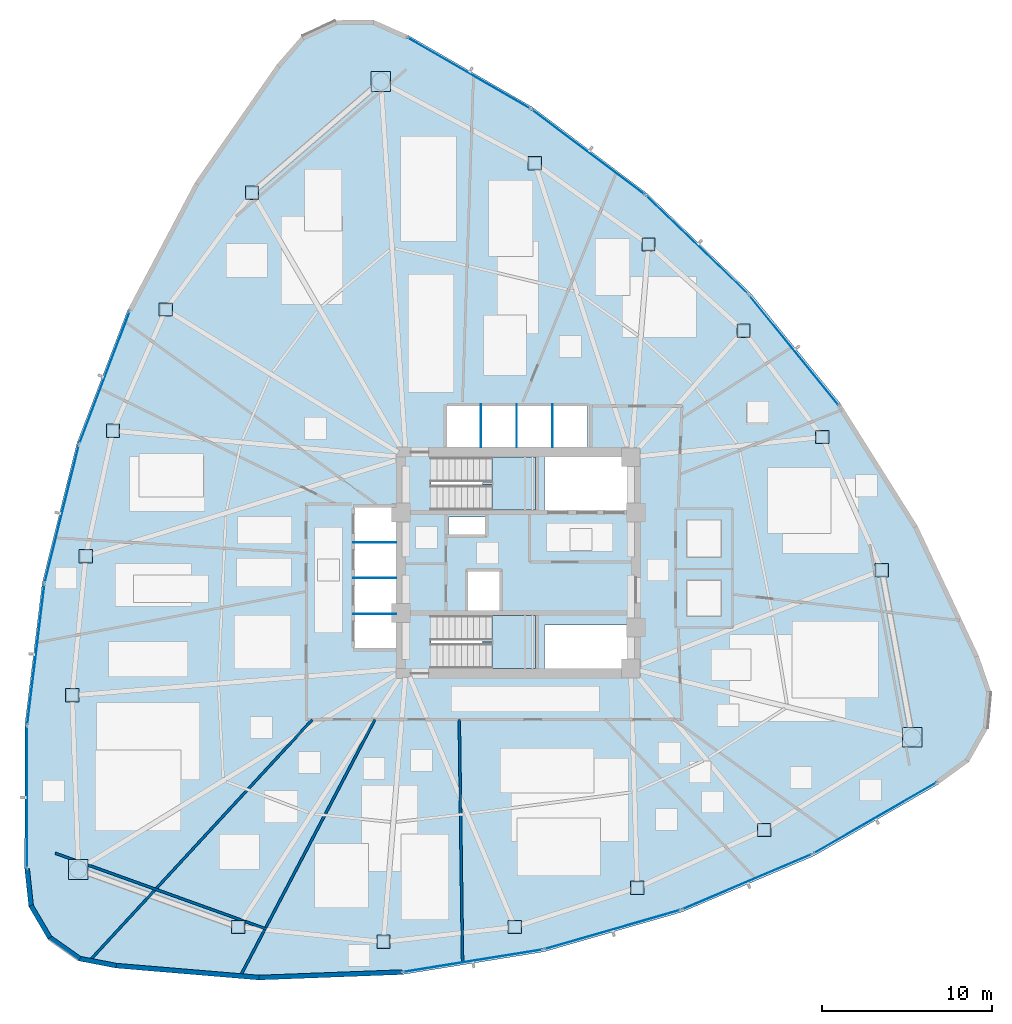
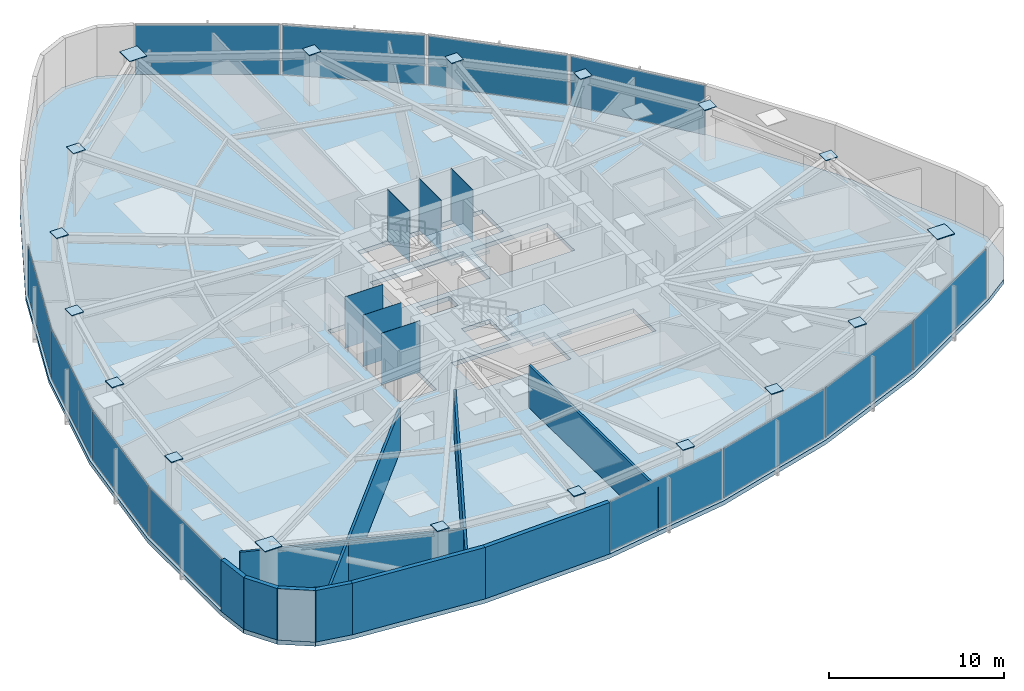
# One storey, part 10 of 17: 36 plates, 10 walls, 3 slabs, 14 elements without a shape of their own.
"""IFC4 building model written with IfcOpenShell, lengths in metres."""

import ifcopenshell
import ifcopenshell.guid

model = None  # the IFC model being written
_history = None  # IfcOwnerHistory: only IFC2X3 demands one
_inside = {}  # id of a spatial element -> (the spatial element, [elements in it])
_under = {}  # id of a project, library or spatial element -> (it, [spatial elements below it])
_declared = {}  # id of a project -> (the project, [libraries it declares])
_typed = {}  # id of a type object -> (the type object, [elements of that type])
_made_of = {}  # id of a material, layer set ... -> (it, [elements and type objects made of it])


def new_model(schema):
    """Start an empty IFC model of exactly this schema.

    Asked for "IFC4X3", IfcOpenShell would pick the latest addendum, in which some entities
    have other attributes; the version numbers below select the first issue.
    IFC2X3 requires an IfcOwnerHistory on every rooted entity: one is made here for all.
    """
    global model, _history
    if schema == "IFC4X3":
        model = ifcopenshell.file(schema_version=(4, 3, 0, 0))
    else:
        model = ifcopenshell.file(schema=schema)
    _inside.clear()
    _under.clear()
    _declared.clear()
    _typed.clear()
    _made_of.clear()
    _history = None
    if model.schema == "IFC2X3":
        org = make("IfcOrganization", Name="unknown")
        user = make(
            "IfcPersonAndOrganization",
            ThePerson=make("IfcPerson", FamilyName="unknown"),
            TheOrganization=org,
        )
        app = make(
            "IfcApplication",
            ApplicationDeveloper=org,
            Version="unknown",
            ApplicationFullName="unknown",
            ApplicationIdentifier="unknown",
        )
        _history = make(
            "IfcOwnerHistory",
            OwningUser=user,
            OwningApplication=app,
            ChangeAction="ADDED",
            CreationDate=0,
        )
    return model


def make(cls, **values):
    """One entity of the class cls with the attributes given. An attribute that is None is left unset."""
    return model.create_entity(
        cls, **{name: value for name, value in values.items() if value is not None}
    )


def rooted(cls, **values):
    """An entity with a GlobalId (a new one), such as an element, a storey or a relation."""
    return make(cls, GlobalId=ifcopenshell.guid.new(), OwnerHistory=_history, **values)


def si_unit(unit_type, name, prefix=None):
    """IfcSIUnit, for example si_unit("LENGTHUNIT", "METRE", prefix="MILLI")."""
    return make("IfcSIUnit", UnitType=unit_type, Prefix=prefix, Name=name)


def assignment(units):
    """IfcUnitAssignment: the units of a project."""
    return None if units is None else make("IfcUnitAssignment", Units=units)


def point(xyz):
    """IfcCartesianPoint."""
    return None if xyz is None else make("IfcCartesianPoint", Coordinates=xyz)


def direction(xyz):
    """IfcDirection."""
    return None if xyz is None else make("IfcDirection", DirectionRatios=xyz)


def frame(location, z_axis=None, x_axis=None):
    """IfcAxis2Placement3D, a coordinate frame: its origin and axes. An axis left out is left unset."""
    return make(
        "IfcAxis2Placement3D",
        Location=point(location),
        Axis=direction(z_axis),
        RefDirection=direction(x_axis),
    )


def frame_2d(location, x_axis=None):
    """IfcAxis2Placement2D, a coordinate frame in the plane: its origin and x axis."""
    return make(
        "IfcAxis2Placement2D", Location=point(location), RefDirection=direction(x_axis)
    )


def origin():
    """The frame at (0, 0, 0) with its axes left unset."""
    return frame((0.0, 0.0, 0.0))


def origin_2d():
    """The frame at (0, 0) in the plane with its x axis left unset."""
    return frame_2d((0.0, 0.0))


def place(relative_to, where):
    """IfcLocalPlacement: puts the frame where relative to a parent placement (None: the world)."""
    return make(
        "IfcLocalPlacement", PlacementRelTo=relative_to, RelativePlacement=where
    )


def context(
    kind, dimensions, precision=None, world=None, true_north=None, identifier=None
):
    """IfcGeometricRepresentationContext, for example the 3D "Model" context."""
    return make(
        "IfcGeometricRepresentationContext",
        ContextIdentifier=identifier,
        ContextType=kind,
        CoordinateSpaceDimension=dimensions,
        Precision=precision,
        WorldCoordinateSystem=world,
        TrueNorth=true_north,
    )


def subcontext(parent, identifier, kind, view, scale=None):
    """IfcGeometricRepresentationSubContext, for example "Body" below "Model"."""
    return make(
        "IfcGeometricRepresentationSubContext",
        ContextIdentifier=identifier,
        ContextType=kind,
        ParentContext=parent,
        TargetScale=scale,
        TargetView=view,
    )


def project(units=None, contexts=None):
    """IfcProject with its units and contexts."""
    return rooted(
        "IfcProject",
        Name="project",
        RepresentationContexts=contexts,
        UnitsInContext=assignment(units),
    )


def spatial(cls, under=None, at=None, **own):
    """A site, building, storey or space (cls), placed at a placement, below another one or the project."""
    s = rooted(cls, ObjectPlacement=at, **own)
    if under is not None:
        _under.setdefault(under.id(), (under, []))[1].append(s)
    return s


def polyline(points):
    """IfcPolyline through the points."""
    return make("IfcPolyline", Points=[point(p) for p in points])


def profile(cls, at=None, kind="AREA", **sizes):
    """A parametric profile (cls). Its sizes go by their IFC names, for example OverallWidth=200.0."""
    return make(cls, ProfileType=kind, Position=at, **sizes)


def rectangle(**sizes):
    """IfcRectangleProfileDef."""
    return profile("IfcRectangleProfileDef", **sizes)


def outline(outer, holes=None, kind="AREA"):
    """IfcArbitraryClosedProfileDef: a profile drawn as a closed curve; with holes, ...WithVoids."""
    if holes is None:
        return make("IfcArbitraryClosedProfileDef", ProfileType=kind, OuterCurve=outer)
    return make(
        "IfcArbitraryProfileDefWithVoids",
        ProfileType=kind,
        OuterCurve=outer,
        InnerCurves=holes,
    )


def extrude(swept, where, along, depth):
    """IfcExtrudedAreaSolid: the profile swept, set in the frame where, extruded along a direction by depth."""
    return make(
        "IfcExtrudedAreaSolid",
        SweptArea=swept,
        Position=where,
        ExtrudedDirection=direction(along),
        Depth=depth,
    )


def shape(context_of_items, identifier, shape_type, items):
    """IfcShapeRepresentation: the items that make up one representation, for example the "Body"."""
    return make(
        "IfcShapeRepresentation",
        ContextOfItems=context_of_items,
        RepresentationIdentifier=identifier,
        RepresentationType=shape_type,
        Items=items,
    )


def source(mapping_origin, context_of_items, identifier, shape_type, items):
    """IfcRepresentationMap: a shape defined once, which mapped items show again and again."""
    return make(
        "IfcRepresentationMap",
        MappingOrigin=mapping_origin,
        MappedRepresentation=shape(context_of_items, identifier, shape_type, items),
    )


def transform(
    local_origin,
    x_axis=None,
    y_axis=None,
    z_axis=None,
    scale=None,
    scale2=None,
    scale3=None,
    uniform=True,
):
    """IfcCartesianTransformationOperator3D, or its non-uniform kind. x_axis, y_axis, z_axis: its Axis1, 2, 3."""
    if uniform:
        return make(
            "IfcCartesianTransformationOperator3D",
            Axis1=direction(x_axis),
            Axis2=direction(y_axis),
            LocalOrigin=point(local_origin),
            Scale=scale,
            Axis3=direction(z_axis),
        )
    return make(
        "IfcCartesianTransformationOperator3DnonUniform",
        Axis1=direction(x_axis),
        Axis2=direction(y_axis),
        LocalOrigin=point(local_origin),
        Scale=scale,
        Axis3=direction(z_axis),
        Scale2=scale2,
        Scale3=scale3,
    )


def mapped(mapping_source, mapping_target):
    """IfcMappedItem: shows the shape of a source again, moved by a transform."""
    return make(
        "IfcMappedItem", MappingSource=mapping_source, MappingTarget=mapping_target
    )


def material(Name=None, Category=None):
    """IfcMaterial."""
    return make("IfcMaterial", Name=Name, Category=Category)


def layer(
    of_material, thickness, ventilated=None, Name=None, Category=None, Priority=None
):
    """IfcMaterialLayer: one layer of a wall or slab, of a material (None: an air gap)."""
    return make(
        "IfcMaterialLayer",
        Material=of_material,
        LayerThickness=thickness,
        IsVentilated=ventilated,
        Name=Name,
        Category=Category,
        Priority=Priority,
    )


def layer_set(layers, Name=None):
    """IfcMaterialLayerSet."""
    return make("IfcMaterialLayerSet", MaterialLayers=layers, LayerSetName=Name)


def made_of(thing, what):
    """Note that an element or type object is made of a material, layer set ...; save() writes the relation."""
    if what is not None:
        _made_of.setdefault(what.id(), (what, []))[1].append(thing)
    return thing


def type_object(cls, material=None, **own):
    """A type object (cls), such as IfcWallType, which elements share."""
    return made_of(rooted(cls, **own), material)


def type_shapes(of_type, sources):
    """Give a type object the sources (RepresentationMaps) that its elements show as mapped items."""
    of_type.RepresentationMaps = sources


def element(
    cls,
    number,
    at=None,
    inside=None,
    cuts=None,
    type_object=None,
    material=None,
    context=None,
    identifier="Body",
    shape_type=None,
    held_by="IfcProductDefinitionShape",
    body=None,
    shapes=None,
    **own,
):
    """One element of the class cls, such as IfcWall. Its Tag is "e" and its number.

    at: its placement. inside: the storey or other place that contains it. cuts: it is an
    opening in that element (IfcRelVoidsElement). A single representation is given by context,
    identifier, shape_type and body (its items); several are given by shapes. held_by: the class
    of the entity that holds the representations. save() writes the other relations.
    """
    e = rooted(cls, Tag="e%d" % number, ObjectPlacement=at, **own)
    if body is not None:
        shapes = [shape(context, identifier, shape_type, body)]
    if shapes is not None:
        e.Representation = make(held_by, Representations=shapes)
    if inside is not None:
        _inside.setdefault(inside.id(), (inside, []))[1].append(e)
    if cuts is not None:
        rooted(
            "IfcRelVoidsElement", RelatingBuildingElement=cuts, RelatedOpeningElement=e
        )
    if type_object is not None:
        _typed.setdefault(type_object.id(), (type_object, []))[1].append(e)
    return made_of(e, material)


def aggregate(whole, parts):
    """IfcRelAggregates: a whole, such as a stair, and the parts it consists of."""
    return rooted("IfcRelAggregates", RelatingObject=whole, RelatedObjects=parts)


def save(model, path):
    """Write the relations noted so far, then the file.

    IfcRelAggregates (storeys below a building ...), IfcRelContainedInSpatialStructure (elements
    in a storey), IfcRelDefinesByType, IfcRelAssociatesMaterial and IfcRelDeclares: one each for
    every whole, place, type object, material and project.
    """
    for whole, parts in _under.values():
        aggregate(whole, parts)
    for where, things in _inside.values():
        rooted(
            "IfcRelContainedInSpatialStructure",
            RelatedElements=things,
            RelatingStructure=where,
        )
    for kind, things in _typed.values():
        rooted("IfcRelDefinesByType", RelatedObjects=things, RelatingType=kind)
    for what, things in _made_of.values():
        rooted("IfcRelAssociatesMaterial", RelatedObjects=things, RelatingMaterial=what)
    for by, libraries in _declared.values():
        rooted("IfcRelDeclares", RelatingContext=by, RelatedDefinitions=libraries)
    model.write(path)


model = new_model("IFC4")

# Units and contexts
model_context = context("Model", 3, precision=1e-05, world=origin(), true_north=direction((0.0, 1.0)))
body_context = subcontext(model_context, "Body", "Model", "MODEL_VIEW")
ifc_project = project(units=[si_unit("LENGTHUNIT", "METRE"), si_unit("AREAUNIT", "SQUARE_METRE"), si_unit("VOLUMEUNIT", "CUBIC_METRE"), si_unit("PLANEANGLEUNIT", "RADIAN"), si_unit("MASSUNIT", "GRAM", prefix="KILO")], contexts=[model_context])

# Site, building, storey
site_placement = place(None, origin())
site = spatial("IfcSite", under=ifc_project, at=site_placement, CompositionType="ELEMENT")
building_placement = place(site_placement, origin())
building = spatial("IfcBuilding", under=site, at=building_placement, Name="Tavelor Broadcast Tower", CompositionType="ELEMENT")
storey_placement = place(building_placement, frame((0.0, 0.0, 78.300048828125)))
storey = spatial("IfcBuildingStorey", under=building, at=storey_placement, Name="L18", CompositionType="ELEMENT", Elevation=78.300048828125)

# Stair, slab
ifc_material_1 = material(Name="Concrete C40/50", Category="concrete")
stair_type = type_object("IfcStairType", Name="Reinforced Concrete Protected Dogleg Stair 1450 mm", PredefinedType="HALF_TURN_STAIR", material=ifc_material_1)
stair_1_placement = place(storey_placement, origin())
stair_1 = element("IfcStair", 1, at=stair_1_placement, inside=storey, type_object=stair_type, Name="L18 Protected Core Exit Stair ST1", PredefinedType="HALF_TURN_STAIR")
ifc_layer_1 = layer(ifc_material_1, 0.199951171875)
ifc_layer_set_1 = layer_set([ifc_layer_1], Name="Concrete C40/50")
slab_type_1 = type_object("IfcSlabType", Name="Reinforced Concrete Stair Half-Landing Slab 200 mm", PredefinedType="LANDING", material=ifc_layer_set_1)
slab_1_placement = place(storey_placement, frame((0.0, 0.0, 1.75)))
slab_1 = element("IfcSlab", 2, at=slab_1_placement, type_object=slab_type_1, Name="ST1 landing 1", PredefinedType="LANDING", context=body_context, shape_type="SweptSolid", body=[
    extrude(outline(polyline([(48.445068359375, 49.590087890625), (48.445068359375, 48.094970703125), (51.0048828125, 48.094970703125), (51.0048828125, 51.205078125), (48.445068359375, 51.205078125), (48.445068359375, 49.7099609375), (47.905029296875, 49.7099609375), (47.905029296875, 49.590087890625), (48.445068359375, 49.590087890625)])), origin(), (0.0, 0.0, 1.0), 0.199951171875),
])
aggregate(stair_1, [slab_1])

stair_2_placement = place(storey_placement, origin())
stair_2 = element("IfcStair", 3, at=stair_2_placement, inside=storey, type_object=stair_type, Name="L18 Protected Core Exit Stair ST2", PredefinedType="HALF_TURN_STAIR")
slab_2_placement = place(storey_placement, frame((0.0, 0.0, 1.75)))
slab_2 = element("IfcSlab", 4, at=slab_2_placement, type_object=slab_type_1, Name="ST2 landing 1", PredefinedType="LANDING", context=body_context, shape_type="SweptSolid", body=[
    extrude(outline(polyline([(48.445068359375, 40.2900390625), (48.445068359375, 38.794921875), (51.0048828125, 38.794921875), (51.0048828125, 41.905029296875), (48.445068359375, 41.905029296875), (48.445068359375, 40.409912109375), (47.905029296875, 40.409912109375), (47.905029296875, 40.2900390625), (48.445068359375, 40.2900390625)])), origin(), (0.0, 0.0, 1.0), 0.199951171875),
])
aggregate(stair_2, [slab_2])

# Slab
ifc_layer_2 = layer(ifc_material_1, 0.300048828125)
ifc_layer_set_2 = layer_set([ifc_layer_2], Name="Concrete C40/50")
slab_type_2 = type_object("IfcSlabType", Name="Tower Composite Floor Slab 300 mm", PredefinedType="FLOOR", material=ifc_layer_set_2)
slab_3_placement = place(storey_placement, frame((0.0, 0.0, -0.300048828125)))
element("IfcSlab", 5, at=slab_3_placement, inside=storey, type_object=slab_type_2, Name="L18 Structural Floor Slab", PredefinedType="FLOOR", context=body_context, shape_type="SweptSolid", body=[
    extrude(outline(polyline([(43.51953125, 75.982421875), (41.493408203125, 76.878173828125), (39.2783203125, 76.860595703125), (37.2666015625, 75.93310546875), (35.814697265625, 74.260009765625), (31.005615234375, 67.33447265625), (27.069580078125, 59.877685546875), (24.065185546875, 51.999267578125), (22.035888671875, 43.8154296875), (21.01220703125, 35.446044921875), (21.0087890625, 27.01416015625), (21.24609375, 24.811767578125), (22.36865234375, 22.902099609375), (24.177734375, 21.62353515625), (26.3525390625, 21.202880859375), (34.755126953125, 20.500732421875), (43.180908203125, 20.820556640625), (51.505859375, 22.15771484375), (59.60791015625, 24.492431640625), (67.367919921875, 27.79052734375), (74.671875, 32.00341796875), (76.46044921875, 33.310302734375), (77.552978515625, 35.2373046875), (77.755615234375, 37.443115234375), (77.03271484375, 39.537109375), (73.439453125, 47.164794921875), (68.94970703125, 54.3017578125), (63.62890625, 60.843017578125), (57.55615234375, 66.692138671875), (50.81982421875, 71.763427734375), (43.51953125, 75.982421875)]), holes=[polyline([(56.60009765625, 38.800048828125), (51.52001953125, 38.800048828125), (51.52001953125, 41.35009765625), (56.60009765625, 41.35009765625), (56.60009765625, 38.800048828125)]), polyline([(50.99609375, 38.803955078125), (44.85400390625, 38.803955078125), (44.85400390625, 41.89599609375), (50.99609375, 41.89599609375), (50.99609375, 38.803955078125)]), polyline([(47.050048828125, 42.199951171875), (47.050048828125, 44.550048828125), (48.949951171875, 44.550048828125), (48.949951171875, 42.199951171875), (47.050048828125, 42.199951171875)]), polyline([(40.35009765625, 40.0), (40.35009765625, 48.25), (42.800048828125, 48.25), (42.800048828125, 40.0), (40.35009765625, 40.0)]), polyline([(48.050048828125, 46.64990234375), (45.89990234375, 46.64990234375), (45.89990234375, 47.699951171875), (48.050048828125, 47.699951171875), (48.050048828125, 46.64990234375)]), polyline([(50.99609375, 48.10400390625), (44.85400390625, 48.10400390625), (44.85400390625, 51.196044921875), (50.99609375, 51.196044921875), (50.99609375, 48.10400390625)]), polyline([(56.60009765625, 48.10009765625), (51.52001953125, 48.10009765625), (51.52001953125, 51.199951171875), (56.60009765625, 51.199951171875), (56.60009765625, 48.10009765625)]), polyline([(54.050048828125, 51.800048828125), (45.800048828125, 51.800048828125), (45.800048828125, 54.25), (54.050048828125, 54.25), (54.050048828125, 51.800048828125)])]), origin(), (0.0, 0.0, 1.0), 0.300048828125),
])

# Plates
ifc_material_2 = material(Name="Steel S460", Category="steel")
ifc_layer_3 = layer(ifc_material_2, 0.050048828125)
ifc_layer_set_3 = layer_set([ifc_layer_3], Name="Steel S460")
plate_type_1 = type_object("IfcPlateType", Name="Tube Hollow-End Cap Plate KN05 700x700x50", PredefinedType="USERDEFINED", material=ifc_layer_set_3)
shared_shape_1 = source(origin(), body_context, "Body", "SweptSolid", [
    extrude(rectangle(XDim=1.14697265625, YDim=1.14697265625, at=origin_2d()), origin(), (0.0, 0.0, 1.0), 0.054931640625),
])
for number, where, z_axis, x_axis, name in (
    (6, (41.923095703125, 73.266357421875, 3.572265625), (0.0, 0.0, 1.0), (1.0, 0.0, 0.0), "L18 Hollow End Cap Plate KN05 #544"),
    (7, (24.1591796875, 26.98974609375, 3.572265625), (0.0, 0.0, 1.0), (1.0, 0.0, 0.0), "L18 Hollow End Cap Plate KN05 #550"),
    (8, (73.117919921875, 34.743896484375, 3.572265625), (0.0, 0.0, 1.0), (1.0, 0.0, 0.0), "L18 Hollow End Cap Plate KN05 #556"),
):
    element("IfcPlate", number, at=place(storey_placement, frame(where, z_axis=z_axis, x_axis=x_axis)), inside=storey, type_object=plate_type_1, Name=name, ObjectType="CAP PLATE", PredefinedType="USERDEFINED", context=body_context, shape_type="MappedRepresentation", body=[
        mapped(shared_shape_1, transform((0.0, 0.0, 0.0), scale=1.0)),
    ])
shared_shape_2 = source(origin(), body_context, "Body", "SweptSolid", [
    extrude(rectangle(XDim=0.780029296875, YDim=0.780029296875, at=origin_2d()), origin(), (0.0, 0.0, 1.0), 0.054931640625),
])
type_shapes(plate_type_1, [shared_shape_1, shared_shape_2])
for number, where, z_axis, x_axis, name in (
    (9, (34.356201171875, 66.727783203125, 3.572265625), (0.0, 0.0, 1.0), (1.0, 0.0, 0.0), "L18 Hollow End Cap Plate KN05 #545"),
    (10, (29.292236328125, 59.87158203125, 3.572265625), (0.0, 0.0, 1.0), (1.0, 0.0, 0.0), "L18 Hollow End Cap Plate KN05 #546"),
    (11, (26.189208984375, 52.75830078125, 3.572265625), (0.0, 0.0, 1.0), (1.0, 0.0, 0.0), "L18 Hollow End Cap Plate KN05 #547"),
    (12, (24.58984375, 45.380615234375, 3.572265625), (0.0, 0.0, 1.0), (1.0, 0.0, 0.0), "L18 Hollow End Cap Plate KN05 #548"),
    (13, (23.794677734375, 37.21630859375, 3.572265625), (0.0, 0.0, 1.0), (1.0, 0.0, 0.0), "L18 Hollow End Cap Plate KN05 #549"),
    (14, (33.55078125, 23.615478515625, 3.572265625), (0.0, 0.0, 1.0), (1.0, 0.0, 0.0), "L18 Hollow End Cap Plate KN05 #551"),
    (15, (42.0732421875, 22.740478515625, 3.572265625), (0.0, 0.0, 1.0), (1.0, 0.0, 0.0), "L18 Hollow End Cap Plate KN05 #552"),
    (16, (49.78662109375, 23.617919921875, 3.572265625), (0.0, 0.0, 1.0), (1.0, 0.0, 0.0), "L18 Hollow End Cap Plate KN05 #553"),
    (17, (56.975341796875, 25.92138671875, 3.572265625), (0.0, 0.0, 1.0), (1.0, 0.0, 0.0), "L18 Hollow End Cap Plate KN05 #554"),
    (18, (64.443603515625, 29.31494140625, 3.572265625), (0.0, 0.0, 1.0), (1.0, 0.0, 0.0), "L18 Hollow End Cap Plate KN05 #555"),
    (19, (71.343994140625, 44.564697265625, 3.572265625), (0.0, 0.0, 1.0), (1.0, 0.0, 0.0), "L18 Hollow End Cap Plate KN05 #557"),
    (20, (67.8408203125, 52.382568359375, 3.572265625), (0.0, 0.0, 1.0), (1.0, 0.0, 0.0), "L18 Hollow End Cap Plate KN05 #558"),
    (21, (63.22412109375, 58.623779296875, 3.572265625), (0.0, 0.0, 1.0), (1.0, 0.0, 0.0), "L18 Hollow End Cap Plate KN05 #559"),
    (22, (57.634765625, 63.69775390625, 3.572265625), (0.0, 0.0, 1.0), (1.0, 0.0, 0.0), "L18 Hollow End Cap Plate KN05 #560"),
    (23, (50.9619140625, 68.468505859375, 3.572265625), (0.0, 0.0, 1.0), (1.0, 0.0, 0.0), "L18 Hollow End Cap Plate KN05 #561"),
):
    element("IfcPlate", number, at=place(storey_placement, frame(where, z_axis=z_axis, x_axis=x_axis)), inside=storey, type_object=plate_type_1, Name=name, ObjectType="CAP PLATE", PredefinedType="USERDEFINED", context=body_context, shape_type="MappedRepresentation", body=[
        mapped(shared_shape_2, transform((0.0, 0.0, 0.0), scale=1.0)),
    ])
ifc_material_3 = material(Name="Steel S355", Category="steel")
ifc_layer_4 = layer(ifc_material_3, 0.011962890625)
ifc_layer_set_4 = layer_set([ifc_layer_4], Name="Steel S355")
plate_type_2 = type_object("IfcPlateType", Name="Hoistway Steel Separator Screen 12 mm", PredefinedType="SHEET", material=ifc_layer_set_4)
shared_shape_3 = source(origin(), body_context, "Body", "SweptSolid", [
    extrude(rectangle(XDim=2.52001953125, YDim=0.02001953125, at=origin_2d()), origin(), (0.0, 0.0, 1.0), 3.60009765625),
])
for number, where, z_axis, x_axis, name in (
    (24, (41.56005859375, 42.0, 0.0), (0.0, 0.0, 1.0), (1.0, 0.0, 0.0), "L18 Low-Rise Hoistway Separator Screen 1"),
    (25, (41.56005859375, 44.10009765625, 0.0), (0.0, 0.0, 1.0), (1.0, 0.0, 0.0), "L18 Low-Rise Hoistway Separator Screen 2"),
    (26, (41.56005859375, 46.199951171875, 0.0), (0.0, 0.0, 1.0), (1.0, 0.0, 0.0), "L18 Low-Rise Hoistway Separator Screen 3"),
):
    element("IfcPlate", number, at=place(storey_placement, frame(where, z_axis=z_axis, x_axis=x_axis)), inside=storey, type_object=plate_type_2, Name=name, PredefinedType="SHEET", context=body_context, shape_type="MappedRepresentation", body=[
        mapped(shared_shape_3, transform((0.0, 0.0, 0.0), scale=1.0)),
    ])
shared_shape_4 = source(origin(), body_context, "Body", "SweptSolid", [
    extrude(rectangle(XDim=0.02001953125, YDim=2.52001953125, at=origin_2d()), origin(), (0.0, 0.0, 1.0), 3.60009765625),
])
type_shapes(plate_type_2, [shared_shape_3, shared_shape_4])
for number, where, z_axis, x_axis, name in (
    (27, (47.800048828125, 53.0400390625, 0.0), (0.0, 0.0, 1.0), (1.0, 0.0, 0.0), "L18 High-Rise Hoistway Separator Screen 1"),
    (28, (49.89990234375, 53.0400390625, 0.0), (0.0, 0.0, 1.0), (1.0, 0.0, 0.0), "L18 High-Rise Hoistway Separator Screen 2"),
    (29, (52.0, 53.0400390625, 0.0), (0.0, 0.0, 1.0), (1.0, 0.0, 0.0), "L18 High-Rise Hoistway Separator Screen 3"),
):
    element("IfcPlate", number, at=place(storey_placement, frame(where, z_axis=z_axis, x_axis=x_axis)), inside=storey, type_object=plate_type_2, Name=name, PredefinedType="SHEET", context=body_context, shape_type="MappedRepresentation", body=[
        mapped(shared_shape_4, transform((0.0, 0.0, 0.0), scale=1.0)),
    ])

# Curtain wall, plate
ifc_material_4 = material(Name="Architectural Anodized Aluminium", Category="aluminium")
ifc_layer_5 = layer(ifc_material_4, 0.179931640625)
ifc_layer_set_5 = layer_set([ifc_layer_5], Name="Architectural Anodized Aluminium")
curtain_wall_type = type_object("IfcCurtainWallType", Name="Tower Low-Zone Unitised Curtain Wall CW02", PredefinedType="NOTDEFINED", material=ifc_layer_set_5)
curtain_wall_1_placement = place(storey_placement, origin())
curtain_wall_1 = element("IfcCurtainWall", 30, at=curtain_wall_1_placement, inside=storey, type_object=curtain_wall_type, Name="L18 Curtain Wall CW02 Run 169", PredefinedType="NOTDEFINED")
ifc_material_5 = material(Name="Acoustic Double Glazing 28 mm", Category="glass")
ifc_layer_6 = layer(ifc_material_5, 0.028076171875)
ifc_layer_set_6 = layer_set([ifc_layer_6], Name="Acoustic Double Glazing 28 mm")
plate_type_3 = type_object("IfcPlateType", Name="CW02 Insulated Vision Glazing Panel 28 mm", PredefinedType="CURTAIN_PANEL", material=ifc_layer_set_6)
shared_shape_5 = source(origin(), body_context, "Body", "SweptSolid", [
    extrude(rectangle(XDim=8.269775390625, YDim=0.028076171875, at=origin_2d()), origin(), (0.0, 0.0, 1.0), 3.469970703125),
])
plate_1_placement = place(storey_placement, frame((25.700927734375, 55.8955078125, 0.06494140625), z_axis=(0.0, 0.0, 1.0), x_axis=(-0.356331452636, -0.934359618061, 0.0)))
plate_1 = element("IfcPlate", 31, at=plate_1_placement, type_object=plate_type_3, Name="CW02 panel 1.1", PredefinedType="CURTAIN_PANEL", context=body_context, shape_type="MappedRepresentation", body=[
    mapped(shared_shape_5, transform((0.0, 0.0, 0.0), scale=1.0)),
])
aggregate(curtain_wall_1, [plate_1])

curtain_wall_2_placement = place(storey_placement, origin())
curtain_wall_2 = element("IfcCurtainWall", 32, at=curtain_wall_2_placement, inside=storey, type_object=curtain_wall_type, Name="L18 Curtain Wall CW02 Run 173", PredefinedType="NOTDEFINED")
plate_2_placement = place(storey_placement, frame((47.313720703125, 21.626220703125, 0.06494140625), z_axis=(0.0, 0.0, 1.0), x_axis=(0.987344689006, 0.15858898162, 0.0)))
plate_2 = element("IfcPlate", 33, at=plate_2_placement, type_object=plate_type_3, Name="CW02 panel 1.1", PredefinedType="CURTAIN_PANEL", context=body_context, shape_type="MappedRepresentation", body=[
    mapped(shared_shape_5, transform((0.0, 0.0, 0.0), scale=1.0)),
])
aggregate(curtain_wall_2, [plate_2])

curtain_wall_3_placement = place(storey_placement, origin())
curtain_wall_3 = element("IfcCurtainWall", 34, at=curtain_wall_3_placement, inside=storey, type_object=curtain_wall_type, Name="L18 Curtain Wall CW02 Run 177", PredefinedType="NOTDEFINED")
plate_3_placement = place(storey_placement, frame((66.185302734375, 57.478271484375, 0.06494140625), z_axis=(0.0, 0.0, 1.0), x_axis=(-0.63102189924, 0.775765017696, 0.0)))
plate_3 = element("IfcPlate", 35, at=plate_3_placement, type_object=plate_type_3, Name="CW02 panel 1.1", PredefinedType="CURTAIN_PANEL", context=body_context, shape_type="MappedRepresentation", body=[
    mapped(shared_shape_5, transform((0.0, 0.0, 0.0), scale=1.0)),
])
aggregate(curtain_wall_3, [plate_3])

curtain_wall_4_placement = place(storey_placement, origin())
curtain_wall_4 = element("IfcCurtainWall", 36, at=curtain_wall_4_placement, inside=storey, type_object=curtain_wall_type, Name="L18 Curtain Wall CW02 Run 170", PredefinedType="NOTDEFINED")
shared_shape_6 = source(origin(), body_context, "Body", "SweptSolid", [
    extrude(rectangle(XDim=8.254638671875, YDim=0.028076171875, at=origin_2d()), origin(), (0.0, 0.0, 1.0), 3.469970703125),
])
plate_4_placement = place(storey_placement, frame((23.186279296875, 47.87353515625, 0.06494140625), z_axis=(0.0, 0.0, 1.0), x_axis=(-0.240652190007, -0.970611417327, 0.0)))
plate_4 = element("IfcPlate", 37, at=plate_4_placement, type_object=plate_type_3, Name="CW02 panel 1.1", PredefinedType="CURTAIN_PANEL", context=body_context, shape_type="MappedRepresentation", body=[
    mapped(shared_shape_6, transform((0.0, 0.0, 0.0), scale=1.0)),
])
aggregate(curtain_wall_4, [plate_4])

curtain_wall_5_placement = place(storey_placement, origin())
curtain_wall_5 = element("IfcCurtainWall", 38, at=curtain_wall_5_placement, inside=storey, type_object=curtain_wall_type, Name="L18 Curtain Wall CW02 Run 178", PredefinedType="NOTDEFINED")
plate_5_placement = place(storey_placement, frame((60.495361328125, 63.666748046875, 0.06494140625), z_axis=(0.0, 0.0, 1.0), x_axis=(-0.720250467689, 0.693714108112, 0.0)))
plate_5 = element("IfcPlate", 39, at=plate_5_placement, type_object=plate_type_3, Name="CW02 panel 1.1", PredefinedType="CURTAIN_PANEL", context=body_context, shape_type="MappedRepresentation", body=[
    mapped(shared_shape_6, transform((0.0, 0.0, 0.0), scale=1.0)),
])
aggregate(curtain_wall_5, [plate_5])

curtain_wall_6_placement = place(storey_placement, origin())
curtain_wall_6 = element("IfcCurtainWall", 40, at=curtain_wall_6_placement, inside=storey, type_object=curtain_wall_type, Name="L18 Curtain Wall CW02 Run 179", PredefinedType="NOTDEFINED")
plate_6_placement = place(storey_placement, frame((54.103759765625, 69.115966796875, 0.06494140625), z_axis=(0.0, 0.0, 1.0), x_axis=(-0.798902389185, 0.601460699094, 0.0)))
plate_6 = element("IfcPlate", 41, at=plate_6_placement, type_object=plate_type_3, Name="CW02 panel 1.1", PredefinedType="CURTAIN_PANEL", context=body_context, shape_type="MappedRepresentation", body=[
    mapped(shared_shape_6, transform((0.0, 0.0, 0.0), scale=1.0)),
])
aggregate(curtain_wall_6, [plate_6])

curtain_wall_7_placement = place(storey_placement, origin())
curtain_wall_7 = element("IfcCurtainWall", 42, at=curtain_wall_7_placement, inside=storey, type_object=curtain_wall_type, Name="L18 Curtain Wall CW02 Run 171", PredefinedType="NOTDEFINED")
shared_shape_7 = source(origin(), body_context, "Body", "SweptSolid", [
    extrude(rectangle(XDim=8.2548828125, YDim=0.028076171875, at=origin_2d()), origin(), (0.0, 0.0, 1.0), 3.469970703125),
])
plate_7_placement = place(storey_placement, frame((21.6630859375, 39.61376953125, 0.06494140625), z_axis=(0.0, 0.0, 1.0), x_axis=(-0.12142153029, -0.992601033639, 0.0)))
plate_7 = element("IfcPlate", 43, at=plate_7_placement, type_object=plate_type_3, Name="CW02 panel 1.1", PredefinedType="CURTAIN_PANEL", context=body_context, shape_type="MappedRepresentation", body=[
    mapped(shared_shape_7, transform((0.0, 0.0, 0.0), scale=1.0)),
])
aggregate(curtain_wall_7, [plate_7])

curtain_wall_8_placement = place(storey_placement, origin())
curtain_wall_8 = element("IfcCurtainWall", 44, at=curtain_wall_8_placement, inside=storey, type_object=curtain_wall_type, Name="L18 Curtain Wall CW02 Run 174", PredefinedType="NOTDEFINED")
plate_8_placement = place(storey_placement, frame((55.51806640625, 23.459716796875, 0.06494140625), z_axis=(0.0, 0.0, 1.0), x_axis=(0.960900877166, 0.276892586143, 0.0)))
plate_8 = element("IfcPlate", 45, at=plate_8_placement, type_object=plate_type_3, Name="CW02 panel 1.1", PredefinedType="CURTAIN_PANEL", context=body_context, shape_type="MappedRepresentation", body=[
    mapped(shared_shape_7, transform((0.0, 0.0, 0.0), scale=1.0)),
])
aggregate(curtain_wall_8, [plate_8])

curtain_wall_9_placement = place(storey_placement, origin())
curtain_wall_9 = element("IfcCurtainWall", 46, at=curtain_wall_9_placement, inside=storey, type_object=curtain_wall_type, Name="L18 Curtain Wall CW02 Run 175", PredefinedType="NOTDEFINED")
plate_9_placement = place(storey_placement, frame((63.43310546875, 26.2705078125, 0.06494140625), z_axis=(0.0, 0.0, 1.0), x_axis=(0.920322224415, 0.391161096286, 0.0)))
plate_9 = element("IfcPlate", 47, at=plate_9_placement, type_object=plate_type_3, Name="CW02 panel 1.1", PredefinedType="CURTAIN_PANEL", context=body_context, shape_type="MappedRepresentation", body=[
    mapped(shared_shape_7, transform((0.0, 0.0, 0.0), scale=1.0)),
])
aggregate(curtain_wall_9, [plate_9])

curtain_wall_10_placement = place(storey_placement, origin())
curtain_wall_10 = element("IfcCurtainWall", 48, at=curtain_wall_10_placement, inside=storey, type_object=curtain_wall_type, Name="L18 Curtain Wall CW02 Run 172", PredefinedType="NOTDEFINED")
shared_shape_8 = source(origin(), body_context, "Body", "SweptSolid", [
    extrude(rectangle(XDim=8.270751953125, YDim=0.028076171875, at=origin_2d()), origin(), (0.0, 0.0, 1.0), 3.469970703125),
])
type_shapes(plate_type_3, [shared_shape_5, shared_shape_6, shared_shape_7, shared_shape_8])
plate_10_placement = place(storey_placement, frame((21.150390625, 31.22216796875, 0.06494140625), z_axis=(0.0, 0.0, 1.0), x_axis=(-0.000404728142, -0.999999918098, 0.0)))
plate_10 = element("IfcPlate", 49, at=plate_10_placement, type_object=plate_type_3, Name="CW02 panel 1.1", PredefinedType="CURTAIN_PANEL", context=body_context, shape_type="MappedRepresentation", body=[
    mapped(shared_shape_8, transform((0.0, 0.0, 0.0), scale=1.0)),
])
aggregate(curtain_wall_10, [plate_10])

curtain_wall_11_placement = place(storey_placement, origin())
curtain_wall_11 = element("IfcCurtainWall", 50, at=curtain_wall_11_placement, inside=storey, type_object=curtain_wall_type, Name="L18 Curtain Wall CW02 Run 176", PredefinedType="NOTDEFINED")
plate_11_placement = place(storey_placement, frame((70.956787109375, 30.022216796875, 0.06494140625), z_axis=(0.0, 0.0, 1.0), x_axis=(0.866235521967, 0.499635887904, 0.0)))
plate_11 = element("IfcPlate", 51, at=plate_11_placement, type_object=plate_type_3, Name="CW02 panel 1.1", PredefinedType="CURTAIN_PANEL", context=body_context, shape_type="MappedRepresentation", body=[
    mapped(shared_shape_8, transform((0.0, 0.0, 0.0), scale=1.0)),
])
aggregate(curtain_wall_11, [plate_11])

curtain_wall_12_placement = place(storey_placement, origin())
curtain_wall_12 = element("IfcCurtainWall", 52, at=curtain_wall_12_placement, inside=storey, type_object=curtain_wall_type, Name="L18 Curtain Wall CW02 Run 180", PredefinedType="NOTDEFINED")
plate_12_placement = place(storey_placement, frame((47.0927734375, 73.755615234375, 0.06494140625), z_axis=(0.0, 0.0, 1.0), x_axis=(-0.865822100056, 0.500351967173, 0.0)))
plate_12 = element("IfcPlate", 53, at=plate_12_placement, type_object=plate_type_3, Name="CW02 panel 1.1", PredefinedType="CURTAIN_PANEL", context=body_context, shape_type="MappedRepresentation", body=[
    mapped(shared_shape_8, transform((0.0, 0.0, 0.0), scale=1.0)),
])
aggregate(curtain_wall_12, [plate_12])

# Walls
ifc_material_6 = material(Name="Precast Concrete C40/50", Category="concrete")
ifc_layer_7 = layer(ifc_material_6, 0.280029296875)
ifc_layer_set_7 = layer_set([ifc_layer_7], Name="Precast Concrete C40/50")
wall_type_1 = type_object("IfcWallType", Name="Insulated Precast Terracotta Facade Wall 280 mm", PredefinedType="STANDARD", material=ifc_layer_set_7)
wall_1_placement = place(storey_placement, frame((21.1484375, 27.025634765625, 0.0), z_axis=(0.0, 0.0, 1.0), x_axis=(0.107149267674, -0.994242945379, 0.0)))
element("IfcWall", 54, at=wall_1_placement, inside=storey, type_object=wall_type_1, Name="L18 Rounded Corner Structural Cladding Pier 11", PredefinedType="STANDARD", context=body_context, shape_type="SweptSolid", body=[
    extrude(rectangle(XDim=2.196533203125, YDim=0.280029296875, at=frame_2d((1.09814453125, 0.0))), origin(), (0.0, 0.0, 1.0), 3.599853515625),
])
wall_2_placement = place(storey_placement, frame((21.37451171875, 24.86962890625, 0.0), z_axis=(0.0, 0.0, 1.0), x_axis=(0.506751518171, -0.862092163769, 0.0)))
element("IfcWall", 55, at=wall_2_placement, inside=storey, type_object=wall_type_1, Name="L18 Rounded Corner Structural Cladding Pier 12", PredefinedType="STANDARD", context=body_context, shape_type="SweptSolid", body=[
    extrude(rectangle(XDim=2.184814453125, YDim=0.280029296875, at=frame_2d((1.09228515625, 0.0))), origin(), (0.0, 0.0, 1.0), 3.599853515625),
])
wall_3_placement = place(storey_placement, frame((22.4619140625, 23.0078125, 0.0), z_axis=(0.0, 0.0, 1.0), x_axis=(0.816577498284, -0.577235817752, 0.0)))
element("IfcWall", 56, at=wall_3_placement, inside=storey, type_object=wall_type_1, Name="L18 Rounded Corner Structural Cladding Pier 13", PredefinedType="STANDARD", context=body_context, shape_type="SweptSolid", body=[
    extrude(rectangle(XDim=2.18505859375, YDim=0.280029296875, at=frame_2d((1.092529296875, 0.0))), origin(), (0.0, 0.0, 1.0), 3.599853515625),
])
wall_4_placement = place(storey_placement, frame((24.21923828125, 21.75830078125, 0.0), z_axis=(0.0, 0.0, 1.0), x_axis=(0.981782512844, -0.190008151072, 0.0)))
element("IfcWall", 57, at=wall_4_placement, inside=storey, type_object=wall_type_1, Name="L18 Rounded Corner Structural Cladding Pier 14", PredefinedType="STANDARD", context=body_context, shape_type="SweptSolid", body=[
    extrude(rectangle(XDim=2.20751953125, YDim=0.280029296875, at=frame_2d((1.103759765625, 0.0))), origin(), (0.0, 0.0, 1.0), 3.599853515625),
])
wall_5_placement = place(storey_placement, frame((26.356689453125, 21.343017578125, 0.0), z_axis=(0.0, 0.0, 1.0), x_axis=(0.996526193792, -0.083279920065, 0.0)))
element("IfcWall", 58, at=wall_5_placement, inside=storey, type_object=wall_type_1, Name="L18 Rounded Corner Structural Cladding Pier 15", PredefinedType="STANDARD", context=body_context, shape_type="SweptSolid", body=[
    extrude(rectangle(XDim=8.44580078125, YDim=0.280029296875, at=frame_2d((4.222900390625, 0.0))), origin(), (0.0, 0.0, 1.0), 3.599853515625),
])
wall_6_placement = place(storey_placement, frame((34.743408203125, 20.640380859375, 0.0), z_axis=(0.0, 0.0, 1.0), x_axis=(0.999280671303, 0.037922815823, 0.0)))
element("IfcWall", 59, at=wall_6_placement, inside=storey, type_object=wall_type_1, Name="L18 Rounded Corner Structural Cladding Pier 16", PredefinedType="STANDARD", context=body_context, shape_type="SweptSolid", body=[
    extrude(rectangle(XDim=8.43359375, YDim=0.280029296875, at=frame_2d((4.216796875, 0.0))), origin(), (0.0, 0.0, 1.0), 3.599853515625),
])
ifc_material_7 = material(Name="Gypsum Acoustic Plasterboard 150 mm", Category="gypsum")
ifc_layer_8 = layer(ifc_material_7, 0.14990234375)
ifc_layer_set_8 = layer_set([ifc_layer_8], Name="Gypsum Acoustic Plasterboard 150 mm")
wall_type_2 = type_object("IfcWallType", Name="Interior Acoustic Partition Wall 150 mm", PredefinedType="PARTITIONING", material=ifc_layer_set_8)
wall_7_placement = place(storey_placement, frame((22.802001953125, 27.94482421875, 0.0), z_axis=(0.0, 0.0, 1.0), x_axis=(0.941102349209, -0.338121824662, 0.0)))
element("IfcWall", 60, at=wall_7_placement, inside=storey, type_object=wall_type_2, Name="L18 Corner Tube Brace Furring Wall 2", PredefinedType="PARTITIONING", context=body_context, shape_type="SweptSolid", body=[
    extrude(rectangle(XDim=13.1796875, YDim=0.14990234375, at=frame_2d((6.58984375, 0.0))), origin(), (0.0, 0.0, 1.0), 2.974853515625),
])
wall_8_placement = place(storey_placement, frame((37.902587890625, 35.800048828125, 0.0), z_axis=(0.0, 0.0, 1.0), x_axis=(-0.678491433726, -0.734608313566, 0.0)))
element("IfcWall", 61, at=wall_8_placement, inside=storey, type_object=wall_type_2, Name="L18 Radial Compartment Wall 04", PredefinedType="PARTITIONING", context=body_context, shape_type="SweptSolid", body=[
    extrude(rectangle(XDim=19.2861328125, YDim=0.14990234375, at=frame_2d((9.64306640625, 0.0))), origin(), (0.0, 0.0, 1.0), 2.974853515625),
])
wall_9_placement = place(storey_placement, frame((41.57470703125, 35.800048828125, 0.0), z_axis=(0.0, 0.0, 1.0), x_axis=(-0.464491295954, -0.885577684895, 0.0)))
element("IfcWall", 62, at=wall_9_placement, inside=storey, type_object=wall_type_2, Name="L18 Radial Compartment Wall 05", PredefinedType="PARTITIONING", context=body_context, shape_type="SweptSolid", body=[
    extrude(rectangle(XDim=17.026123046875, YDim=0.14990234375, at=frame_2d((8.51318359375, 0.0))), origin(), (0.0, 0.0, 1.0), 2.974853515625),
])
wall_10_placement = place(storey_placement, frame((46.526123046875, 35.800048828125, 0.0), z_axis=(0.0, 0.0, 1.0), x_axis=(0.013711159918, -0.999905997629, 0.0)))
element("IfcWall", 63, at=wall_10_placement, inside=storey, type_object=wall_type_2, Name="L18 Radial Compartment Wall 06", PredefinedType="PARTITIONING", context=body_context, shape_type="SweptSolid", body=[
    extrude(rectangle(XDim=14.2802734375, YDim=0.14990234375, at=frame_2d((7.14013671875, 0.0))), origin(), (0.0, 0.0, 1.0), 2.974853515625),
])

save(model, "model.ifc")
